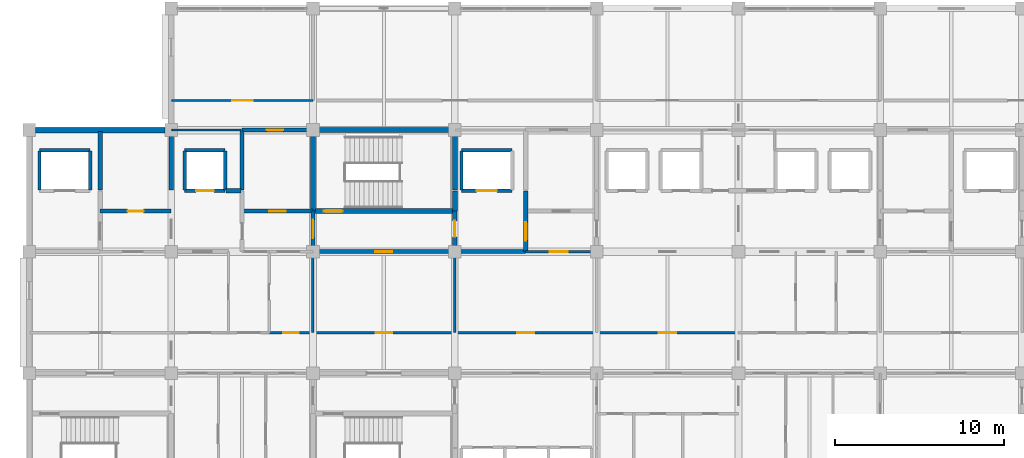
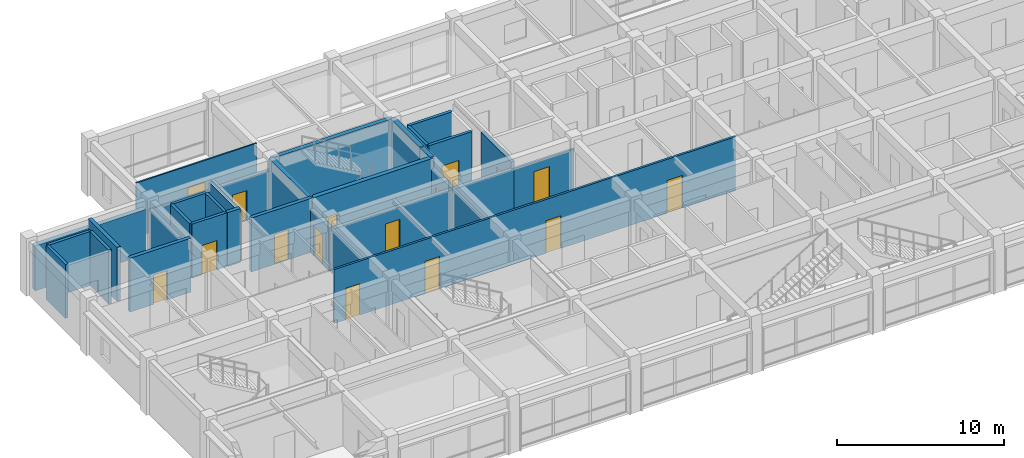
# One storey, part 16 of 27: 33 walls, 16 doors, 16 openings.
"""IFC4 building model written with IfcOpenShell, lengths in metres."""

from ifc_helpers import new_model, si_unit, direction, frame, frame_2d, origin, place, context, subcontext, project, spatial, rectangle, extrude, material, layer, layer_set, type_object, element, fill, save


model = new_model("IFC4")

# Units and contexts
model_context = context("Model", 3, precision=1e-05, world=origin(), true_north=direction((0.0, 1.0)))
body_context = subcontext(model_context, "Body", "Model", "MODEL_VIEW")
ifc_project = project(units=[si_unit("LENGTHUNIT", "METRE"), si_unit("AREAUNIT", "SQUARE_METRE"), si_unit("VOLUMEUNIT", "CUBIC_METRE"), si_unit("PLANEANGLEUNIT", "RADIAN"), si_unit("MASSUNIT", "GRAM", prefix="KILO")], contexts=[model_context])

# Site, building, storey
site_placement = place(None, origin())
site = spatial("IfcSite", under=ifc_project, at=site_placement, CompositionType="ELEMENT")
building_placement = place(site_placement, origin())
building = spatial("IfcBuilding", under=site, at=building_placement, Name="Chengyuan Square Courthouse", CompositionType="ELEMENT")
storey_placement = place(building_placement, frame((0.0, 0.0, 39.300048828125)))
storey = spatial("IfcBuildingStorey", under=building, at=storey_placement, Name="L09", CompositionType="ELEMENT", Elevation=39.300048828125)

# Wall
ifc_material_1 = material(Name="Concrete C40", Category="concrete")
ifc_layer_1 = layer(ifc_material_1, 0.320068359375)
ifc_layer_set_1 = layer_set([ifc_layer_1], Name="Concrete C40")
wall_type_1 = type_object("IfcWallType", Name="WL-EW3", PredefinedType="STANDARD", material=ifc_layer_set_1)
wall_1_placement = place(storey_placement, frame((42.3701171875, 108.0, 0.0), z_axis=(0.0, 0.0, 1.0), x_axis=(1.0, 0.0, 0.0)))
element("IfcWall", 1, at=wall_1_placement, inside=storey, type_object=wall_type_1, Name="Exterior Wall WL-L09-E415", PredefinedType="STANDARD", context=body_context, shape_type="SweptSolid", body=[
    extrude(rectangle(XDim=7.659912109375, YDim=0.320068359375, at=frame_2d((3.830078125, 0.0))), origin(), (0.0, 0.0, 1.0), 3.300048828125),
])

# Wall, opening, door
ifc_layer_2 = layer(ifc_material_1, 0.25)
ifc_layer_set_2 = layer_set([ifc_layer_2], Name="Concrete C40")
wall_type_2 = type_object("IfcWallType", Name="WL-FW1", PredefinedType="STANDARD", material=ifc_layer_set_2)
wall_2_placement = place(storey_placement, frame((58.800048828125, 100.800048828125, 0.0), z_axis=(0.0, 0.0, 1.0), x_axis=(1.0, 0.0, 0.0)))
wall_2 = element("IfcWall", 2, at=wall_2_placement, inside=storey, type_object=wall_type_2, Name="Interior Wall WL-L09-I3131", PredefinedType="STANDARD", context=body_context, shape_type="SweptSolid", body=[
    extrude(rectangle(XDim=12.599853515625, YDim=0.25, at=frame_2d((6.2998046875, 0.0))), origin(), (0.0, 0.0, 1.0), 3.099853515625),
])
opening_1_placement = place(wall_2_placement, frame((3.699951171875, 0.0, 0.0)))
opening_1 = element("IfcOpeningElement", 3, at=opening_1_placement, cuts=wall_2, Name="Opening DR-2641", PredefinedType="OPENING", context=body_context, shape_type="SweptSolid", body=[
    extrude(rectangle(XDim=1.0, YDim=2.199951171875, at=frame_2d((0.5, 1.10009765625))), frame((0.0, 0.136962890625, 0.0), z_axis=(0.0, -1.0, 0.0), x_axis=(1.0, 0.0, 0.0)), (0.0, 0.0, 1.0), 0.27392578125),
])
ifc_material_2 = material(Name="Steel Q235B Fire Door", Category="steel")
door_type_1 = type_object("IfcDoorType", Name="DT-11", OperationType="NOTDEFINED", PredefinedType="DOOR", material=ifc_material_2)
door_1_placement = place(opening_1_placement, origin())
door_1 = element("IfcDoor", 4, at=door_1_placement, inside=storey, type_object=door_type_1, Name="Interior Door DR-2641", OperationType="SINGLE_SWING_RIGHT", OverallHeight=2.199951171875, OverallWidth=1.0, PredefinedType="DOOR", context=body_context, shape_type="SweptSolid", body=[
    extrude(rectangle(XDim=1.0, YDim=2.199951171875, at=frame_2d((0.5, 1.10009765625))), frame((0.0, 0.02490234375, 0.0), z_axis=(0.0, -1.0, 0.0), x_axis=(1.0, 0.0, 0.0)), (0.0, 0.0, 1.0), 0.050048828125),
])
fill(opening_1, door_1)

wall_3_placement = place(storey_placement, frame((46.199951171875, 103.199951171875, 0.0), z_axis=(0.0, 0.0, 1.0), x_axis=(1.0, 0.0, 0.0)))
wall_3 = element("IfcWall", 5, at=wall_3_placement, inside=storey, type_object=wall_type_2, Name="Interior Wall WL-L09-I3140", PredefinedType="STANDARD", context=body_context, shape_type="SweptSolid", body=[
    extrude(rectangle(XDim=4.199951171875, YDim=0.25, at=frame_2d((2.10009765625, 0.0))), origin(), (0.0, 0.0, 1.0), 3.949951171875),
])
opening_2_placement = place(wall_3_placement, frame((1.625, 0.0, 0.0)))
opening_2 = element("IfcOpeningElement", 6, at=opening_2_placement, cuts=wall_3, Name="Opening DR-2666", PredefinedType="OPENING", context=body_context, shape_type="SweptSolid", body=[
    extrude(rectangle(XDim=0.949951171875, YDim=2.14990234375, at=frame_2d((0.47509765625, 1.074951171875))), frame((0.0, 0.136962890625, 0.0), z_axis=(0.0, -1.0, 0.0), x_axis=(1.0, 0.0, 0.0)), (0.0, 0.0, 1.0), 0.27392578125),
])
door_type_2 = type_object("IfcDoorType", Name="DT-12", OperationType="NOTDEFINED", PredefinedType="DOOR", material=ifc_material_2)
door_2_placement = place(opening_2_placement, origin())
door_2 = element("IfcDoor", 7, at=door_2_placement, inside=storey, type_object=door_type_2, Name="Interior Door DR-2666", OperationType="SINGLE_SWING_LEFT", OverallHeight=2.14990234375, OverallWidth=0.949951171875, PredefinedType="DOOR", context=body_context, shape_type="SweptSolid", body=[
    extrude(rectangle(XDim=0.949951171875, YDim=2.14990234375, at=frame_2d((0.47509765625, 1.074951171875))), frame((0.0, 0.02490234375, 0.0), z_axis=(0.0, -1.0, 0.0), x_axis=(1.0, 0.0, 0.0)), (0.0, 0.0, 1.0), 0.050048828125),
])
fill(opening_2, door_2)

wall_4_placement = place(storey_placement, frame((54.60009765625, 103.199951171875, 0.0), z_axis=(0.0, 0.0, 1.0), x_axis=(1.0, 0.0, 0.0)))
wall_4 = element("IfcWall", 8, at=wall_4_placement, inside=storey, type_object=wall_type_2, Name="Interior Wall WL-L09-I3141", PredefinedType="STANDARD", context=body_context, shape_type="SweptSolid", body=[
    extrude(rectangle(XDim=4.199951171875, YDim=0.25, at=frame_2d((2.10009765625, 0.0))), origin(), (0.0, 0.0, 1.0), 3.949951171875),
])
opening_3_placement = place(wall_4_placement, frame((1.60009765625, 0.0, 0.0)))
opening_3 = element("IfcOpeningElement", 9, at=opening_3_placement, cuts=wall_4, Name="Opening DR-2686", PredefinedType="OPENING", context=body_context, shape_type="SweptSolid", body=[
    extrude(rectangle(XDim=1.0, YDim=2.199951171875, at=frame_2d((0.5, 1.10009765625))), frame((0.0, 0.136962890625, 0.0), z_axis=(0.0, -1.0, 0.0), x_axis=(1.0, 0.0, 0.0)), (0.0, 0.0, 1.0), 0.27392578125),
])
door_3_placement = place(opening_3_placement, origin())
door_3 = element("IfcDoor", 10, at=door_3_placement, inside=storey, type_object=door_type_1, Name="Interior Door DR-2686", OperationType="SINGLE_SWING_RIGHT", OverallHeight=2.199951171875, OverallWidth=1.0, PredefinedType="DOOR", context=body_context, shape_type="SweptSolid", body=[
    extrude(rectangle(XDim=1.0, YDim=2.199951171875, at=frame_2d((0.5, 1.10009765625))), frame((0.0, 0.02490234375, 0.0), z_axis=(0.0, -1.0, 0.0), x_axis=(1.0, 0.0, 0.0)), (0.0, 0.0, 1.0), 0.050048828125),
])
fill(opening_3, door_3)

# Wall
wall_5_placement = place(storey_placement, frame((53.64990234375, 104.39990234375, 0.0), z_axis=(0.0, 0.0, 1.0), x_axis=(1.0, 0.0, 0.0)))
element("IfcWall", 11, at=wall_5_placement, inside=storey, type_object=wall_type_2, Name="Interior Wall WL-L09-I3150", PredefinedType="STANDARD", context=body_context, shape_type="SweptSolid", body=[
    extrude(rectangle(XDim=0.900146484375, YDim=0.25, at=frame_2d((0.4501953125, 0.0))), origin(), (0.0, 0.0, 1.0), 3.949951171875),
])

# Wall, opening, door
wall_6_placement = place(storey_placement, frame((54.60009765625, 108.0, 0.0), z_axis=(0.0, 0.0, 1.0), x_axis=(1.0, 0.0, 0.0)))
wall_6 = element("IfcWall", 12, at=wall_6_placement, inside=storey, type_object=wall_type_2, Name="Interior Wall WL-L09-I3172", PredefinedType="STANDARD", context=body_context, shape_type="SweptSolid", body=[
    extrude(rectangle(XDim=4.199951171875, YDim=0.25, at=frame_2d((2.10009765625, 0.0))), origin(), (0.0, 0.0, 1.0), 3.099853515625),
])
opening_4_placement = place(wall_6_placement, frame((1.452392578125, 0.0, 0.0)))
opening_4 = element("IfcOpeningElement", 13, at=opening_4_placement, cuts=wall_6, Name="Opening DR-2689", PredefinedType="OPENING", context=body_context, shape_type="SweptSolid", body=[
    extrude(rectangle(XDim=1.0, YDim=2.199951171875, at=frame_2d((0.5, 1.10009765625))), frame((0.0, 0.136962890625, 0.0), z_axis=(0.0, -1.0, 0.0), x_axis=(1.0, 0.0, 0.0)), (0.0, 0.0, 1.0), 0.27392578125),
])
door_4_placement = place(opening_4_placement, origin())
door_4 = element("IfcDoor", 14, at=door_4_placement, inside=storey, type_object=door_type_1, Name="Interior Door DR-2689", OperationType="SINGLE_SWING_LEFT", OverallHeight=2.199951171875, OverallWidth=1.0, PredefinedType="DOOR", context=body_context, shape_type="SweptSolid", body=[
    extrude(rectangle(XDim=1.0, YDim=2.199951171875, at=frame_2d((0.5, 1.10009765625))), frame((0.0, 0.02490234375, 0.0), z_axis=(0.0, -1.0, 0.0), x_axis=(1.0, 0.0, 0.0)), (0.0, 0.0, 1.0), 0.050048828125),
])
fill(opening_4, door_4)

# Walls
wall_7_placement = place(storey_placement, frame((46.199951171875, 104.449951171875, 0.0), z_axis=(0.0, 0.0, 1.0), x_axis=(0.0, 1.0, 0.0)))
element("IfcWall", 15, at=wall_7_placement, inside=storey, type_object=wall_type_2, Name="Interior Wall WL-L09-I3192", PredefinedType="STANDARD", context=body_context, shape_type="SweptSolid", body=[
    extrude(rectangle(XDim=3.4599609375, YDim=0.25, at=frame_2d((1.72998046875, 0.0))), origin(), (0.0, 0.0, 1.0), 3.949951171875),
])
wall_8_placement = place(storey_placement, frame((50.39990234375, 104.449951171875, 0.0), z_axis=(0.0, 0.0, 1.0), x_axis=(0.0, 1.0, 0.0)))
element("IfcWall", 16, at=wall_8_placement, inside=storey, type_object=wall_type_2, Name="Interior Wall WL-L09-I3196", PredefinedType="STANDARD", context=body_context, shape_type="SweptSolid", body=[
    extrude(rectangle(XDim=3.4599609375, YDim=0.25, at=frame_2d((1.72998046875, 0.0))), origin(), (0.0, 0.0, 1.0), 3.199951171875),
])
wall_9_placement = place(storey_placement, frame((54.60009765625, 104.449951171875, 0.0), z_axis=(0.0, 0.0, 1.0), x_axis=(0.0, 1.0, 0.0)))
element("IfcWall", 17, at=wall_9_placement, inside=storey, type_object=wall_type_2, Name="Interior Wall WL-L09-I3202", PredefinedType="STANDARD", context=body_context, shape_type="SweptSolid", body=[
    extrude(rectangle(XDim=3.5, YDim=0.25, at=frame_2d((1.75, 0.0))), origin(), (0.0, 0.0, 1.0), 3.64990234375),
])

# Wall, opening, door
wall_10_placement = place(storey_placement, frame((58.800048828125, 100.800048828125, 0.0), z_axis=(0.0, 0.0, 1.0), x_axis=(0.0, 1.0, 0.0)))
wall_10 = element("IfcWall", 18, at=wall_10_placement, inside=storey, type_object=wall_type_2, Name="Interior Wall WL-L09-I3208", PredefinedType="STANDARD", context=body_context, shape_type="SweptSolid", body=[
    extrude(rectangle(XDim=2.39990234375, YDim=0.25, at=frame_2d((1.199951171875, 0.0))), origin(), (0.0, 0.0, 1.0), 3.199951171875),
])
opening_5_placement = place(wall_10_placement, frame((0.797607421875, 0.0, 0.0)))
opening_5 = element("IfcOpeningElement", 19, at=opening_5_placement, cuts=wall_10, Name="Opening DR-2640", PredefinedType="OPENING", context=body_context, shape_type="SweptSolid", body=[
    extrude(rectangle(XDim=1.10009765625, YDim=2.199951171875, at=frame_2d((0.550048828125, 1.10009765625))), frame((0.0, 0.136962890625, 0.0), z_axis=(0.0, -1.0, 0.0), x_axis=(1.0, 0.0, 0.0)), (0.0, 0.0, 1.0), 0.27392578125),
])
door_type_3 = type_object("IfcDoorType", Name="DT-10", OperationType="NOTDEFINED", PredefinedType="DOOR", material=ifc_material_2)
door_5_placement = place(opening_5_placement, origin())
door_5 = element("IfcDoor", 20, at=door_5_placement, inside=storey, type_object=door_type_3, Name="Interior Door DR-2640", OperationType="SINGLE_SWING_LEFT", OverallHeight=2.199951171875, OverallWidth=1.10009765625, PredefinedType="DOOR", context=body_context, shape_type="SweptSolid", body=[
    extrude(rectangle(XDim=1.10009765625, YDim=2.199951171875, at=frame_2d((0.550048828125, 1.10009765625))), frame((0.0, 0.02490234375, 0.0), z_axis=(0.0, -1.0, 0.0), x_axis=(1.0, 0.0, 0.0)), (0.0, 0.0, 1.0), 0.050048828125),
])
fill(opening_5, door_5)

wall_11_placement = place(storey_placement, frame((67.199951171875, 100.800048828125, 0.0), z_axis=(0.0, 0.0, 1.0), x_axis=(0.0, 1.0, 0.0)))
wall_11 = element("IfcWall", 21, at=wall_11_placement, inside=storey, type_object=wall_type_2, Name="Interior Wall WL-L09-I3216", PredefinedType="STANDARD", context=body_context, shape_type="SweptSolid", body=[
    extrude(rectangle(XDim=2.39990234375, YDim=0.25, at=frame_2d((1.199951171875, 0.0))), origin(), (0.0, 0.0, 1.0), 3.199951171875),
])
opening_6_placement = place(wall_11_placement, frame((0.87255859375, 0.0, 0.0)))
opening_6 = element("IfcOpeningElement", 22, at=opening_6_placement, cuts=wall_11, Name="Opening DR-2639", PredefinedType="OPENING", context=body_context, shape_type="SweptSolid", body=[
    extrude(rectangle(XDim=0.949951171875, YDim=2.14990234375, at=frame_2d((0.47509765625, 1.074951171875))), frame((0.0, 0.136962890625, 0.0), z_axis=(0.0, -1.0, 0.0), x_axis=(1.0, 0.0, 0.0)), (0.0, 0.0, 1.0), 0.27392578125),
])
door_6_placement = place(opening_6_placement, origin())
door_6 = element("IfcDoor", 23, at=door_6_placement, inside=storey, type_object=door_type_2, Name="Interior Door DR-2639", OperationType="SINGLE_SWING_RIGHT", OverallHeight=2.14990234375, OverallWidth=0.949951171875, PredefinedType="DOOR", context=body_context, shape_type="SweptSolid", body=[
    extrude(rectangle(XDim=0.949951171875, YDim=2.14990234375, at=frame_2d((0.47509765625, 1.074951171875))), frame((0.0, 0.02490234375, 0.0), z_axis=(0.0, -1.0, 0.0), x_axis=(1.0, 0.0, 0.0)), (0.0, 0.0, 1.0), 0.050048828125),
])
fill(opening_6, door_6)

wall_12_placement = place(storey_placement, frame((71.39990234375, 100.800048828125, 0.0), z_axis=(0.0, 0.0, 1.0), x_axis=(0.0, 1.0, 0.0)))
wall_12 = element("IfcWall", 24, at=wall_12_placement, inside=storey, type_object=wall_type_2, Name="Interior Wall WL-L09-I3223", PredefinedType="STANDARD", context=body_context, shape_type="SweptSolid", body=[
    extrude(rectangle(XDim=3.599853515625, YDim=0.25, at=frame_2d((1.7998046875, 0.0))), origin(), (0.0, 0.0, 1.0), 3.599853515625),
])
opening_7_placement = place(wall_12_placement, frame((0.64990234375, 0.0, 0.0)))
opening_7 = element("IfcOpeningElement", 25, at=opening_7_placement, cuts=wall_12, Name="Opening DR-2655", PredefinedType="OPENING", context=body_context, shape_type="SweptSolid", body=[
    extrude(rectangle(XDim=1.10009765625, YDim=2.199951171875, at=frame_2d((0.550048828125, 1.10009765625))), frame((0.0, 0.136962890625, 0.0), z_axis=(0.0, -1.0, 0.0), x_axis=(1.0, 0.0, 0.0)), (0.0, 0.0, 1.0), 0.27392578125),
])
door_7_placement = place(opening_7_placement, origin())
door_7 = element("IfcDoor", 26, at=door_7_placement, inside=storey, type_object=door_type_3, Name="Interior Door DR-2655", OperationType="SINGLE_SWING_RIGHT", OverallHeight=2.199951171875, OverallWidth=1.10009765625, PredefinedType="DOOR", context=body_context, shape_type="SweptSolid", body=[
    extrude(rectangle(XDim=1.10009765625, YDim=2.199951171875, at=frame_2d((0.550048828125, 1.10009765625))), frame((0.0, 0.02490234375, 0.0), z_axis=(0.0, -1.0, 0.0), x_axis=(1.0, 0.0, 0.0)), (0.0, 0.0, 1.0), 0.050048828125),
])
fill(opening_7, door_7)

# Wall, openings, doors
ifc_material_3 = material(Name="Deliberation Room Sound-Insulated Partition")
ifc_layer_3 = layer(ifc_material_3, 0.14990234375)
ifc_layer_set_3 = layer_set([ifc_layer_3], Name="Deliberation Room Sound-Insulated Partition")
wall_type_3 = type_object("IfcWallType", Name="WL-PT3", PredefinedType="STANDARD", material=ifc_layer_set_3)
wall_13_placement = place(storey_placement, frame((56.199951171875, 96.0, 0.0), z_axis=(0.0, 0.0, 1.0), x_axis=(1.0, 0.0, 0.0)))
wall_13 = element("IfcWall", 27, at=wall_13_placement, inside=storey, type_object=wall_type_3, Name="Interior Wall WL-L09-I3121", PredefinedType="STANDARD", context=body_context, shape_type="SweptSolid", body=[
    extrude(rectangle(XDim=27.800048828125, YDim=0.14990234375, at=frame_2d((13.89990234375, 0.0))), origin(), (0.0, 0.0, 1.0), 3.949951171875),
])
opening_8_placement = place(wall_13_placement, frame((0.830078125, 0.0, 0.0)))
opening_8 = element("IfcOpeningElement", 28, at=opening_8_placement, cuts=wall_13, Name="Opening DR-2706", PredefinedType="OPENING", context=body_context, shape_type="SweptSolid", body=[
    extrude(rectangle(XDim=0.93994140625, YDim=2.300048828125, at=frame_2d((0.469970703125, 1.14990234375))), frame((0.0, 0.0869140625, 0.0), z_axis=(0.0, -1.0, 0.0), x_axis=(1.0, 0.0, 0.0)), (0.0, 0.0, 1.0), 0.173828125),
])
opening_9_placement = place(wall_13_placement, frame((6.31005859375, 0.0, 0.0)))
opening_9 = element("IfcOpeningElement", 29, at=opening_9_placement, cuts=wall_13, Name="Opening DR-2707", PredefinedType="OPENING", context=body_context, shape_type="SweptSolid", body=[
    extrude(rectangle(XDim=0.97998046875, YDim=2.35009765625, at=frame_2d((0.489990234375, 1.175048828125))), frame((0.0, 0.0869140625, 0.0), z_axis=(0.0, -1.0, 0.0), x_axis=(1.0, 0.0, 0.0)), (0.0, 0.0, 1.0), 0.173828125),
])
opening_10_placement = place(wall_13_placement, frame((14.68994140625, 0.0, 0.0)))
opening_10 = element("IfcOpeningElement", 30, at=opening_10_placement, cuts=wall_13, Name="Opening DR-2708", PredefinedType="OPENING", context=body_context, shape_type="SweptSolid", body=[
    extrude(rectangle(XDim=1.02001953125, YDim=2.39990234375, at=frame_2d((0.510009765625, 1.199951171875))), frame((0.0, 0.0869140625, 0.0), z_axis=(0.0, -1.0, 0.0), x_axis=(1.0, 0.0, 0.0)), (0.0, 0.0, 1.0), 0.173828125),
])
opening_11_placement = place(wall_13_placement, frame((23.070068359375, 0.0, 0.0)))
opening_11 = element("IfcOpeningElement", 31, at=opening_11_placement, cuts=wall_13, Name="Opening DR-2709", PredefinedType="OPENING", context=body_context, shape_type="SweptSolid", body=[
    extrude(rectangle(XDim=1.06005859375, YDim=2.39990234375, at=frame_2d((0.530029296875, 1.199951171875))), frame((0.0, 0.0869140625, 0.0), z_axis=(0.0, -1.0, 0.0), x_axis=(1.0, 0.0, 0.0)), (0.0, 0.0, 1.0), 0.173828125),
])
ifc_material_4 = material(Name="Acoustic Solid-Core Timber Door", Category="wood")
door_type_4 = type_object("IfcDoorType", Name="DT-39", OperationType="NOTDEFINED", PredefinedType="DOOR", material=ifc_material_4)
door_8_placement = place(opening_8_placement, origin())
door_8 = element("IfcDoor", 32, at=door_8_placement, inside=storey, type_object=door_type_4, Name="Interior Door DR-2706", OperationType="SINGLE_SWING_LEFT", OverallHeight=2.300048828125, OverallWidth=0.93994140625, PredefinedType="DOOR", context=body_context, shape_type="SweptSolid", body=[
    extrude(rectangle(XDim=0.93994140625, YDim=2.300048828125, at=frame_2d((0.469970703125, 1.14990234375))), frame((0.0, 0.02490234375, 0.0), z_axis=(0.0, -1.0, 0.0), x_axis=(1.0, 0.0, 0.0)), (0.0, 0.0, 1.0), 0.050048828125),
])
fill(opening_8, door_8)
door_type_5 = type_object("IfcDoorType", Name="DT-40", OperationType="NOTDEFINED", PredefinedType="DOOR", material=ifc_material_4)
door_9_placement = place(opening_9_placement, origin())
door_9 = element("IfcDoor", 33, at=door_9_placement, inside=storey, type_object=door_type_5, Name="Interior Door DR-2707", OperationType="SINGLE_SWING_RIGHT", OverallHeight=2.35009765625, OverallWidth=0.97998046875, PredefinedType="DOOR", context=body_context, shape_type="SweptSolid", body=[
    extrude(rectangle(XDim=0.97998046875, YDim=2.35009765625, at=frame_2d((0.489990234375, 1.175048828125))), frame((0.0, 0.02490234375, 0.0), z_axis=(0.0, -1.0, 0.0), x_axis=(1.0, 0.0, 0.0)), (0.0, 0.0, 1.0), 0.050048828125),
])
fill(opening_9, door_9)
door_type_6 = type_object("IfcDoorType", Name="DT-41", OperationType="NOTDEFINED", PredefinedType="DOOR", material=ifc_material_4)
door_10_placement = place(opening_10_placement, origin())
door_10 = element("IfcDoor", 34, at=door_10_placement, inside=storey, type_object=door_type_6, Name="Interior Door DR-2708", OperationType="SINGLE_SWING_LEFT", OverallHeight=2.39990234375, OverallWidth=1.02001953125, PredefinedType="DOOR", context=body_context, shape_type="SweptSolid", body=[
    extrude(rectangle(XDim=1.02001953125, YDim=2.39990234375, at=frame_2d((0.510009765625, 1.199951171875))), frame((0.0, 0.02490234375, 0.0), z_axis=(0.0, -1.0, 0.0), x_axis=(1.0, 0.0, 0.0)), (0.0, 0.0, 1.0), 0.050048828125),
])
fill(opening_10, door_10)
door_type_7 = type_object("IfcDoorType", Name="DT-42", OperationType="NOTDEFINED", PredefinedType="DOOR", material=ifc_material_4)
door_11_placement = place(opening_11_placement, origin())
door_11 = element("IfcDoor", 35, at=door_11_placement, inside=storey, type_object=door_type_7, Name="Interior Door DR-2709", OperationType="SINGLE_SWING_RIGHT", OverallHeight=2.39990234375, OverallWidth=1.06005859375, PredefinedType="DOOR", context=body_context, shape_type="SweptSolid", body=[
    extrude(rectangle(XDim=1.06005859375, YDim=2.39990234375, at=frame_2d((0.530029296875, 1.199951171875))), frame((0.0, 0.02490234375, 0.0), z_axis=(0.0, -1.0, 0.0), x_axis=(1.0, 0.0, 0.0)), (0.0, 0.0, 1.0), 0.050048828125),
])
fill(opening_11, door_11)

# Wall, opening, door
wall_14_placement = place(storey_placement, frame((71.39990234375, 100.800048828125, 0.0), z_axis=(0.0, 0.0, 1.0), x_axis=(1.0, 0.0, 0.0)))
wall_14 = element("IfcWall", 36, at=wall_14_placement, inside=storey, type_object=wall_type_3, Name="Interior Wall WL-L09-I3132", PredefinedType="STANDARD", context=body_context, shape_type="SweptSolid", body=[
    extrude(rectangle(XDim=4.2001953125, YDim=0.14990234375, at=frame_2d((2.10009765625, 0.0))), origin(), (0.0, 0.0, 1.0), 3.099853515625),
])
opening_12_placement = place(wall_14_placement, frame((1.422607421875, 0.0, 0.0)))
opening_12 = element("IfcOpeningElement", 37, at=opening_12_placement, cuts=wall_14, Name="Opening DR-2658", PredefinedType="OPENING", context=body_context, shape_type="SweptSolid", body=[
    extrude(rectangle(XDim=1.06005859375, YDim=2.39990234375, at=frame_2d((0.530029296875, 1.199951171875))), frame((0.0, 0.0869140625, 0.0), z_axis=(0.0, -1.0, 0.0), x_axis=(1.0, 0.0, 0.0)), (0.0, 0.0, 1.0), 0.173828125),
])
door_12_placement = place(opening_12_placement, origin())
door_12 = element("IfcDoor", 38, at=door_12_placement, inside=storey, type_object=door_type_7, Name="Interior Door DR-2658", OperationType="SINGLE_SWING_LEFT", OverallHeight=2.39990234375, OverallWidth=1.06005859375, PredefinedType="DOOR", context=body_context, shape_type="SweptSolid", body=[
    extrude(rectangle(XDim=1.06005859375, YDim=2.39990234375, at=frame_2d((0.530029296875, 1.199951171875))), frame((0.0, 0.02490234375, 0.0), z_axis=(0.0, -1.0, 0.0), x_axis=(1.0, 0.0, 0.0)), (0.0, 0.0, 1.0), 0.050048828125),
])
fill(opening_12, door_12)

# Walls
for number, where, z_axis, x_axis, name in (
    (39, (58.800048828125, 96.0, 0.0), (0.0, 0.0, 1.0), (0.0, 1.0, 0.0), "Interior Wall WL-L09-I3207"),
    (40, (67.199951171875, 96.0, 0.0), (0.0, 0.0, 1.0), (0.0, 1.0, 0.0), "Interior Wall WL-L09-I3215"),
):
    element("IfcWall", number, at=place(storey_placement, frame(where, z_axis=z_axis, x_axis=x_axis)), inside=storey, type_object=wall_type_3, Name=name, PredefinedType="STANDARD", context=body_context, shape_type="SweptSolid", body=[
        extrude(rectangle(XDim=4.800048828125, YDim=0.14990234375, at=frame_2d((2.39990234375, 0.0))), origin(), (0.0, 0.0, 1.0), 3.199951171875),
    ])
ifc_material_5 = material(Name="Gypsum Plasterboard Acoustic Stud Partition")
ifc_layer_4 = layer(ifc_material_5, 0.10009765625)
ifc_layer_set_4 = layer_set([ifc_layer_4], Name="Gypsum Plasterboard Acoustic Stud Partition")
wall_type_4 = type_object("IfcWallType", Name="WL-PT6", PredefinedType="STANDARD", material=ifc_layer_set_4)
wall_15_placement = place(storey_placement, frame((50.449951171875, 108.0, 0.0), z_axis=(0.0, 0.0, 1.0), x_axis=(1.0, 0.0, 0.0)))
element("IfcWall", 41, at=wall_15_placement, inside=storey, type_object=wall_type_4, Name="Interior Wall WL-L09-I3171", PredefinedType="STANDARD", context=body_context, shape_type="SweptSolid", body=[
    extrude(rectangle(XDim=4.10009765625, YDim=0.10009765625, at=frame_2d((2.050048828125, 0.0))), origin(), (0.0, 0.0, 1.0), 3.099853515625),
])

# Wall, opening, door
wall_16_placement = place(storey_placement, frame((50.43994140625, 109.75, 0.0), z_axis=(0.0, 0.0, 1.0), x_axis=(1.0, 0.0, 0.0)))
wall_16 = element("IfcWall", 42, at=wall_16_placement, inside=storey, type_object=wall_type_4, Name="Interior Wall WL-L09-I3184", PredefinedType="STANDARD", context=body_context, shape_type="SweptSolid", body=[
    extrude(rectangle(XDim=8.360107421875, YDim=0.10009765625, at=frame_2d((4.18017578125, 0.0))), origin(), (0.0, 0.0, 1.0), 3.949951171875),
])
opening_13_placement = place(wall_16_placement, frame((3.580078125, 0.0, 0.0)))
opening_13 = element("IfcOpeningElement", 43, at=opening_13_placement, cuts=wall_16, Name="Opening DR-2754", PredefinedType="OPENING", context=body_context, shape_type="SweptSolid", body=[
    extrude(rectangle(XDim=1.199951171875, YDim=2.35009765625, at=frame_2d((0.60009765625, 1.175048828125))), frame((0.0, 0.06201171875, 0.0), z_axis=(0.0, -1.0, 0.0), x_axis=(1.0, 0.0, 0.0)), (0.0, 0.0, 1.0), 0.1240234375),
])
door_type_8 = type_object("IfcDoorType", Name="DT-36", OperationType="NOTDEFINED", PredefinedType="DOOR", material=ifc_material_4)
door_13_placement = place(opening_13_placement, origin())
door_13 = element("IfcDoor", 44, at=door_13_placement, inside=storey, type_object=door_type_8, Name="Interior Door DR-2754", OperationType="SINGLE_SWING_RIGHT", OverallHeight=2.35009765625, OverallWidth=1.199951171875, PredefinedType="DOOR", context=body_context, shape_type="SweptSolid", body=[
    extrude(rectangle(XDim=1.199951171875, YDim=2.35009765625, at=frame_2d((0.60009765625, 1.175048828125))), frame((0.0, 0.02490234375, 0.0), z_axis=(0.0, -1.0, 0.0), x_axis=(1.0, 0.0, 0.0)), (0.0, 0.0, 1.0), 0.050048828125),
])
fill(opening_13, door_13)

ifc_material_6 = material(Name="Reinforced Masonry Shaft Enclosure", Category="masonry")
ifc_layer_5 = layer(ifc_material_6, 0.199951171875)
ifc_layer_set_5 = layer_set([ifc_layer_5], Name="Reinforced Masonry Shaft Enclosure")
wall_type_5 = type_object("IfcWallType", Name="WL-SH1", PredefinedType="STANDARD", material=ifc_layer_set_5)
wall_17_placement = place(storey_placement, frame((51.199951171875, 104.39990234375, 0.0), z_axis=(0.0, 0.0, 1.0), x_axis=(1.0, 0.0, 0.0)))
wall_17 = element("IfcWall", 45, at=wall_17_placement, inside=storey, type_object=wall_type_5, Name="Interior Wall WL-L09-I3149", PredefinedType="STANDARD", context=body_context, shape_type="SweptSolid", body=[
    extrude(rectangle(XDim=2.400146484375, YDim=0.199951171875, at=frame_2d((1.2001953125, 0.0))), origin(), (0.0, 0.0, 1.0), 3.949951171875),
])
opening_14_placement = place(wall_17_placement, frame((0.675048828125, 0.0, 0.0)))
opening_14 = element("IfcOpeningElement", 46, at=opening_14_placement, cuts=wall_17, Name="Opening LD-163", PredefinedType="OPENING", context=body_context, shape_type="SweptSolid", body=[
    extrude(rectangle(XDim=1.050048828125, YDim=2.14990234375, at=frame_2d((0.52490234375, 1.074951171875))), frame((0.0, 0.112060546875, 0.0), z_axis=(0.0, -1.0, 0.0), x_axis=(1.0, 0.0, 0.0)), (0.0, 0.0, 1.0), 0.223876953125),
])
ifc_material_7 = material(Name="Stainless Steel S30408 Lift Landing Door", Category="steel")
door_type_9 = type_object("IfcDoorType", Name="DT-08", OperationType="DOUBLE_DOOR_SLIDING", PredefinedType="DOOR", material=ifc_material_7)
door_14_placement = place(opening_14_placement, origin())
door_14 = element("IfcDoor", 47, at=door_14_placement, inside=storey, type_object=door_type_9, Name="Lift Landing Door LF-C1 L09", OperationType="DOUBLE_DOOR_SLIDING", OverallHeight=2.14990234375, OverallWidth=1.050048828125, PredefinedType="DOOR", context=body_context, shape_type="SweptSolid", body=[
    extrude(rectangle(XDim=1.050048828125, YDim=2.14990234375, at=frame_2d((0.52490234375, 1.074951171875))), frame((0.0, 0.02490234375, 0.0), z_axis=(0.0, -1.0, 0.0), x_axis=(1.0, 0.0, 0.0)), (0.0, 0.0, 1.0), 0.050048828125),
])
fill(opening_14, door_14)

wall_18_placement = place(storey_placement, frame((67.60009765625, 104.39990234375, 0.0), z_axis=(0.0, 0.0, 1.0), x_axis=(1.0, 0.0, 0.0)))
wall_18 = element("IfcWall", 48, at=wall_18_placement, inside=storey, type_object=wall_type_5, Name="Interior Wall WL-L09-I3151", PredefinedType="STANDARD", context=body_context, shape_type="SweptSolid", body=[
    extrude(rectangle(XDim=3.0, YDim=0.199951171875, at=frame_2d((1.5, 0.0))), origin(), (0.0, 0.0, 1.0), 3.949951171875),
])
opening_15_placement = place(wall_18_placement, frame((0.89990234375, 0.0, 0.0)))
opening_15 = element("IfcOpeningElement", 49, at=opening_15_placement, cuts=wall_18, Name="Opening LD-149", PredefinedType="OPENING", context=body_context, shape_type="SweptSolid", body=[
    extrude(rectangle(XDim=1.199951171875, YDim=2.14990234375, at=frame_2d((0.60009765625, 1.074951171875))), frame((0.0, 0.112060546875, 0.0), z_axis=(0.0, -1.0, 0.0), x_axis=(1.0, 0.0, 0.0)), (0.0, 0.0, 1.0), 0.223876953125),
])
door_type_10 = type_object("IfcDoorType", Name="DT-05", OperationType="DOUBLE_DOOR_SLIDING", PredefinedType="DOOR", material=ifc_material_7)
door_15_placement = place(opening_15_placement, origin())
door_15 = element("IfcDoor", 50, at=door_15_placement, inside=storey, type_object=door_type_10, Name="Lift Landing Door LF-F1 L09", OperationType="DOUBLE_DOOR_SLIDING", OverallHeight=2.14990234375, OverallWidth=1.199951171875, PredefinedType="DOOR", context=body_context, shape_type="SweptSolid", body=[
    extrude(rectangle(XDim=1.199951171875, YDim=2.14990234375, at=frame_2d((0.60009765625, 1.074951171875))), frame((0.0, 0.02490234375, 0.0), z_axis=(0.0, -1.0, 0.0), x_axis=(1.0, 0.0, 0.0)), (0.0, 0.0, 1.0), 0.050048828125),
])
fill(opening_15, door_15)

# Walls
wall_19_placement = place(storey_placement, frame((42.60009765625, 106.800048828125, 0.0), z_axis=(0.0, 0.0, 1.0), x_axis=(1.0, 0.0, 0.0)))
element("IfcWall", 51, at=wall_19_placement, inside=storey, type_object=wall_type_5, Name="Interior Wall WL-L09-I3161", PredefinedType="STANDARD", context=body_context, shape_type="SweptSolid", body=[
    extrude(rectangle(XDim=3.0, YDim=0.199951171875, at=frame_2d((1.5, 0.0))), origin(), (0.0, 0.0, 1.0), 3.949951171875),
])
wall_20_placement = place(storey_placement, frame((51.199951171875, 106.800048828125, 0.0), z_axis=(0.0, 0.0, 1.0), x_axis=(1.0, 0.0, 0.0)))
element("IfcWall", 52, at=wall_20_placement, inside=storey, type_object=wall_type_5, Name="Interior Wall WL-L09-I3162", PredefinedType="STANDARD", context=body_context, shape_type="SweptSolid", body=[
    extrude(rectangle(XDim=2.400146484375, YDim=0.199951171875, at=frame_2d((1.2001953125, 0.0))), origin(), (0.0, 0.0, 1.0), 3.949951171875),
])
wall_21_placement = place(storey_placement, frame((67.60009765625, 106.800048828125, 0.0), z_axis=(0.0, 0.0, 1.0), x_axis=(1.0, 0.0, 0.0)))
element("IfcWall", 53, at=wall_21_placement, inside=storey, type_object=wall_type_5, Name="Interior Wall WL-L09-I3163", PredefinedType="STANDARD", context=body_context, shape_type="SweptSolid", body=[
    extrude(rectangle(XDim=3.0, YDim=0.199951171875, at=frame_2d((1.5, 0.0))), origin(), (0.0, 0.0, 1.0), 3.949951171875),
])
for number, where, z_axis, x_axis, name in (
    (54, (42.60009765625, 104.449951171875, 0.0), (0.0, 0.0, 1.0), (0.0, 1.0, 0.0), "Interior Wall WL-L09-I3189"),
    (55, (45.60009765625, 104.449951171875, 0.0), (0.0, 0.0, 1.0), (0.0, 1.0, 0.0), "Interior Wall WL-L09-I3190"),
    (56, (51.199951171875, 104.449951171875, 0.0), (0.0, 0.0, 1.0), (0.0, 1.0, 0.0), "Interior Wall WL-L09-I3197"),
    (57, (53.60009765625, 104.449951171875, 0.0), (0.0, 0.0, 1.0), (0.0, 1.0, 0.0), "Interior Wall WL-L09-I3199"),
    (58, (67.60009765625, 104.449951171875, 0.0), (0.0, 0.0, 1.0), (0.0, 1.0, 0.0), "Interior Wall WL-L09-I3220"),
):
    element("IfcWall", number, at=place(storey_placement, frame(where, z_axis=z_axis, x_axis=x_axis)), inside=storey, type_object=wall_type_5, Name=name, PredefinedType="STANDARD", context=body_context, shape_type="SweptSolid", body=[
        extrude(rectangle(XDim=2.300048828125, YDim=0.199951171875, at=frame_2d((1.14990234375, 0.0))), origin(), (0.0, 0.0, 1.0), 3.949951171875),
    ])

# Wall, opening, door
ifc_layer_6 = layer(ifc_material_1, 0.300048828125)
ifc_layer_set_6 = layer_set([ifc_layer_6], Name="Concrete C40")
wall_type_6 = type_object("IfcWallType", Name="WL-SW2", PredefinedType="SHEAR", material=ifc_layer_set_6)
wall_22_placement = place(storey_placement, frame((58.800048828125, 103.199951171875, 0.0), z_axis=(0.0, 0.0, 1.0), x_axis=(1.0, 0.0, 0.0)))
wall_22 = element("IfcWall", 59, at=wall_22_placement, inside=storey, type_object=wall_type_6, Name="Interior Wall WL-L09-I3142", PredefinedType="SHEAR", context=body_context, shape_type="SweptSolid", body=[
    extrude(rectangle(XDim=8.39990234375, YDim=0.300048828125, at=frame_2d((4.199951171875, 0.0))), origin(), (0.0, 0.0, 1.0), 3.949951171875),
])
opening_16_placement = place(wall_22_placement, frame((0.64990234375, 0.0, 0.0)))
opening_16 = element("IfcOpeningElement", 60, at=opening_16_placement, cuts=wall_22, Name="Opening DR-2633", PredefinedType="OPENING", context=body_context, shape_type="SweptSolid", body=[
    extrude(rectangle(XDim=1.10009765625, YDim=2.199951171875, at=frame_2d((0.550048828125, 1.10009765625))), frame((0.0, 0.162109375, 0.0), z_axis=(0.0, -1.0, 0.0), x_axis=(1.0, 0.0, 0.0)), (0.0, 0.0, 1.0), 0.323974609375),
])
door_16_placement = place(opening_16_placement, origin())
door_16 = element("IfcDoor", 61, at=door_16_placement, inside=storey, type_object=door_type_3, Name="Smoke-Proof Stairwell Fire Door ST-1 DR-2633", OperationType="SINGLE_SWING_RIGHT", OverallHeight=2.199951171875, OverallWidth=1.10009765625, PredefinedType="DOOR", context=body_context, shape_type="SweptSolid", body=[
    extrude(rectangle(XDim=1.10009765625, YDim=2.199951171875, at=frame_2d((0.550048828125, 1.10009765625))), frame((0.0, 0.02490234375, 0.0), z_axis=(0.0, -1.0, 0.0), x_axis=(1.0, 0.0, 0.0)), (0.0, 0.0, 1.0), 0.050048828125),
])
fill(opening_16, door_16)

# Walls
wall_23_placement = place(storey_placement, frame((58.800048828125, 108.0, 0.0), z_axis=(0.0, 0.0, 1.0), x_axis=(1.0, 0.0, 0.0)))
element("IfcWall", 62, at=wall_23_placement, inside=storey, type_object=wall_type_6, Name="Interior Wall WL-L09-I3173", PredefinedType="SHEAR", context=body_context, shape_type="SweptSolid", body=[
    extrude(rectangle(XDim=8.39990234375, YDim=0.300048828125, at=frame_2d((4.199951171875, 0.0))), origin(), (0.0, 0.0, 1.0), 3.949951171875),
])
wall_24_placement = place(storey_placement, frame((58.800048828125, 103.199951171875, 0.0), z_axis=(0.0, 0.0, 1.0), x_axis=(0.0, 1.0, 0.0)))
element("IfcWall", 63, at=wall_24_placement, inside=storey, type_object=wall_type_6, Name="Interior Wall WL-L09-I3209", PredefinedType="SHEAR", context=body_context, shape_type="SweptSolid", body=[
    extrude(rectangle(XDim=4.800048828125, YDim=0.300048828125, at=frame_2d((2.39990234375, 0.0))), origin(), (0.0, 0.0, 1.0), 3.949951171875),
])
wall_25_placement = place(storey_placement, frame((67.199951171875, 103.199951171875, 0.0), z_axis=(0.0, 0.0, 1.0), x_axis=(0.0, 1.0, 0.0)))
element("IfcWall", 64, at=wall_25_placement, inside=storey, type_object=wall_type_6, Name="Interior Wall WL-L09-I3217", PredefinedType="SHEAR", context=body_context, shape_type="SweptSolid", body=[
    extrude(rectangle(XDim=1.199951171875, YDim=0.300048828125, at=frame_2d((0.60009765625, 0.0))), origin(), (0.0, 0.0, 1.0), 3.949951171875),
])
wall_26_placement = place(storey_placement, frame((67.199951171875, 104.449951171875, 0.0), z_axis=(0.0, 0.0, 1.0), x_axis=(0.0, 1.0, 0.0)))
element("IfcWall", 65, at=wall_26_placement, inside=storey, type_object=wall_type_6, Name="Interior Wall WL-L09-I3218", PredefinedType="SHEAR", context=body_context, shape_type="SweptSolid", body=[
    extrude(rectangle(XDim=3.5, YDim=0.300048828125, at=frame_2d((1.75, 0.0))), origin(), (0.0, 0.0, 1.0), 3.949951171875),
])

save(model, "model.ifc")
